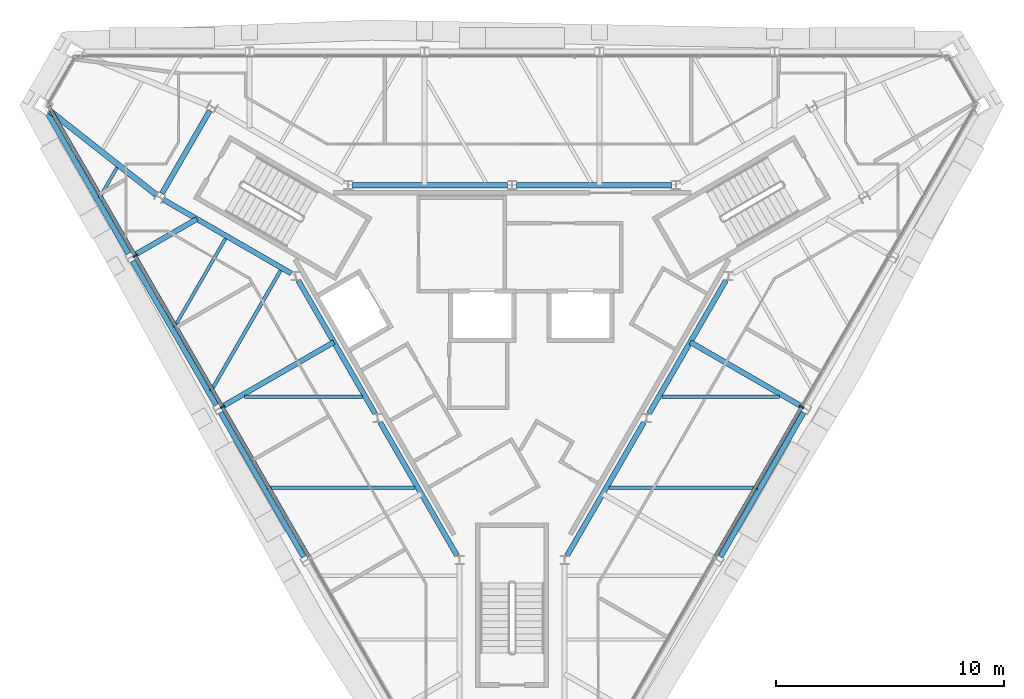
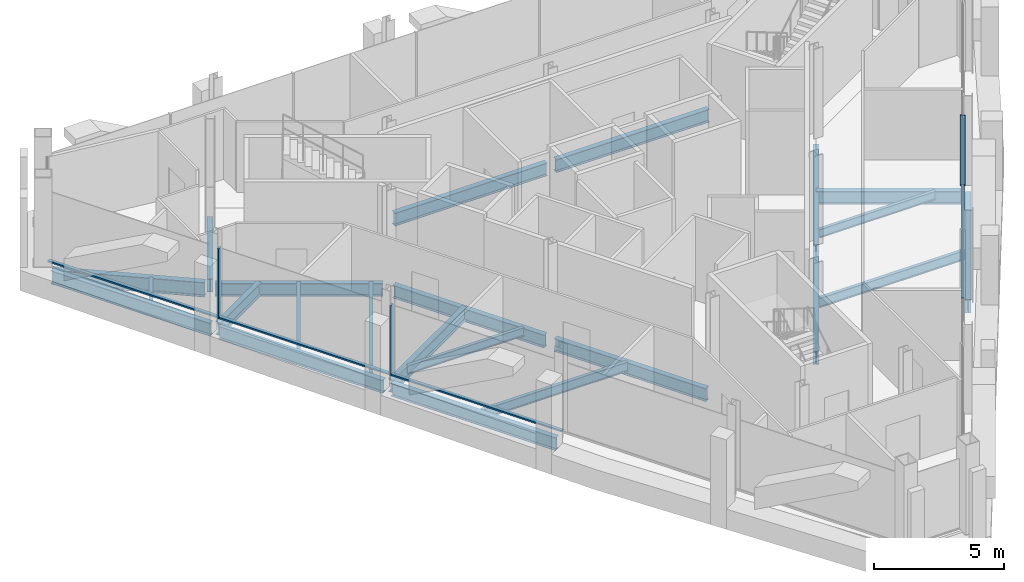
# One storey, part 4 of 13: 23 beams, 7 members, 2 elements without a shape of their own.
"""IFC4 building model written with IfcOpenShell, lengths in metres."""

import ifcopenshell
import ifcopenshell.guid

model = None  # the IFC model being written
_history = None  # IfcOwnerHistory: only IFC2X3 demands one
_inside = {}  # id of a spatial element -> (the spatial element, [elements in it])
_under = {}  # id of a project, library or spatial element -> (it, [spatial elements below it])
_declared = {}  # id of a project -> (the project, [libraries it declares])
_typed = {}  # id of a type object -> (the type object, [elements of that type])
_made_of = {}  # id of a material, layer set ... -> (it, [elements and type objects made of it])


def new_model(schema):
    """Start an empty IFC model of exactly this schema.

    Asked for "IFC4X3", IfcOpenShell would pick the latest addendum, in which some entities
    have other attributes; the version numbers below select the first issue.
    IFC2X3 requires an IfcOwnerHistory on every rooted entity: one is made here for all.
    """
    global model, _history
    if schema == "IFC4X3":
        model = ifcopenshell.file(schema_version=(4, 3, 0, 0))
    else:
        model = ifcopenshell.file(schema=schema)
    _inside.clear()
    _under.clear()
    _declared.clear()
    _typed.clear()
    _made_of.clear()
    _history = None
    if model.schema == "IFC2X3":
        org = make("IfcOrganization", Name="unknown")
        user = make(
            "IfcPersonAndOrganization",
            ThePerson=make("IfcPerson", FamilyName="unknown"),
            TheOrganization=org,
        )
        app = make(
            "IfcApplication",
            ApplicationDeveloper=org,
            Version="unknown",
            ApplicationFullName="unknown",
            ApplicationIdentifier="unknown",
        )
        _history = make(
            "IfcOwnerHistory",
            OwningUser=user,
            OwningApplication=app,
            ChangeAction="ADDED",
            CreationDate=0,
        )
    return model


def make(cls, **values):
    """One entity of the class cls with the attributes given. An attribute that is None is left unset."""
    return model.create_entity(
        cls, **{name: value for name, value in values.items() if value is not None}
    )


def rooted(cls, **values):
    """An entity with a GlobalId (a new one), such as an element, a storey or a relation."""
    return make(cls, GlobalId=ifcopenshell.guid.new(), OwnerHistory=_history, **values)


def si_unit(unit_type, name, prefix=None):
    """IfcSIUnit, for example si_unit("LENGTHUNIT", "METRE", prefix="MILLI")."""
    return make("IfcSIUnit", UnitType=unit_type, Prefix=prefix, Name=name)


def assignment(units):
    """IfcUnitAssignment: the units of a project."""
    return None if units is None else make("IfcUnitAssignment", Units=units)


def point(xyz):
    """IfcCartesianPoint."""
    return None if xyz is None else make("IfcCartesianPoint", Coordinates=xyz)


def direction(xyz):
    """IfcDirection."""
    return None if xyz is None else make("IfcDirection", DirectionRatios=xyz)


def frame(location, z_axis=None, x_axis=None):
    """IfcAxis2Placement3D, a coordinate frame: its origin and axes. An axis left out is left unset."""
    return make(
        "IfcAxis2Placement3D",
        Location=point(location),
        Axis=direction(z_axis),
        RefDirection=direction(x_axis),
    )


def frame_2d(location, x_axis=None):
    """IfcAxis2Placement2D, a coordinate frame in the plane: its origin and x axis."""
    return make(
        "IfcAxis2Placement2D", Location=point(location), RefDirection=direction(x_axis)
    )


def origin():
    """The frame at (0, 0, 0) with its axes left unset."""
    return frame((0.0, 0.0, 0.0))


def origin_2d():
    """The frame at (0, 0) in the plane with its x axis left unset."""
    return frame_2d((0.0, 0.0))


def place(relative_to, where):
    """IfcLocalPlacement: puts the frame where relative to a parent placement (None: the world)."""
    return make(
        "IfcLocalPlacement", PlacementRelTo=relative_to, RelativePlacement=where
    )


def context(
    kind, dimensions, precision=None, world=None, true_north=None, identifier=None
):
    """IfcGeometricRepresentationContext, for example the 3D "Model" context."""
    return make(
        "IfcGeometricRepresentationContext",
        ContextIdentifier=identifier,
        ContextType=kind,
        CoordinateSpaceDimension=dimensions,
        Precision=precision,
        WorldCoordinateSystem=world,
        TrueNorth=true_north,
    )


def subcontext(parent, identifier, kind, view, scale=None):
    """IfcGeometricRepresentationSubContext, for example "Body" below "Model"."""
    return make(
        "IfcGeometricRepresentationSubContext",
        ContextIdentifier=identifier,
        ContextType=kind,
        ParentContext=parent,
        TargetScale=scale,
        TargetView=view,
    )


def project(units=None, contexts=None):
    """IfcProject with its units and contexts."""
    return rooted(
        "IfcProject",
        Name="project",
        RepresentationContexts=contexts,
        UnitsInContext=assignment(units),
    )


def spatial(cls, under=None, at=None, **own):
    """A site, building, storey or space (cls), placed at a placement, below another one or the project."""
    s = rooted(cls, ObjectPlacement=at, **own)
    if under is not None:
        _under.setdefault(under.id(), (under, []))[1].append(s)
    return s


def profile(cls, at=None, kind="AREA", **sizes):
    """A parametric profile (cls). Its sizes go by their IFC names, for example OverallWidth=200.0."""
    return make(cls, ProfileType=kind, Position=at, **sizes)


def rectangle(**sizes):
    """IfcRectangleProfileDef."""
    return profile("IfcRectangleProfileDef", **sizes)


def i_section(**sizes):
    """IfcIShapeProfileDef."""
    return profile("IfcIShapeProfileDef", **sizes)


def extrude(swept, where, along, depth):
    """IfcExtrudedAreaSolid: the profile swept, set in the frame where, extruded along a direction by depth."""
    return make(
        "IfcExtrudedAreaSolid",
        SweptArea=swept,
        Position=where,
        ExtrudedDirection=direction(along),
        Depth=depth,
    )


def shape(context_of_items, identifier, shape_type, items):
    """IfcShapeRepresentation: the items that make up one representation, for example the "Body"."""
    return make(
        "IfcShapeRepresentation",
        ContextOfItems=context_of_items,
        RepresentationIdentifier=identifier,
        RepresentationType=shape_type,
        Items=items,
    )


def material(Name=None, Category=None):
    """IfcMaterial."""
    return make("IfcMaterial", Name=Name, Category=Category)


def material_profile(
    of_material, cross_section, Name=None, Category=None, Priority=None
):
    """IfcMaterialProfile: a cross section and its material."""
    return make(
        "IfcMaterialProfile",
        Name=Name,
        Material=of_material,
        Profile=cross_section,
        Priority=Priority,
        Category=Category,
    )


def profile_set(profiles, Name=None, composite=None):
    """IfcMaterialProfileSet."""
    return make(
        "IfcMaterialProfileSet",
        Name=Name,
        MaterialProfiles=profiles,
        CompositeProfile=composite,
    )


def made_of(thing, what):
    """Note that an element or type object is made of a material, layer set ...; save() writes the relation."""
    if what is not None:
        _made_of.setdefault(what.id(), (what, []))[1].append(thing)
    return thing


def type_object(cls, material=None, **own):
    """A type object (cls), such as IfcWallType, which elements share."""
    return made_of(rooted(cls, **own), material)


def element(
    cls,
    number,
    at=None,
    inside=None,
    cuts=None,
    type_object=None,
    material=None,
    context=None,
    identifier="Body",
    shape_type=None,
    held_by="IfcProductDefinitionShape",
    body=None,
    shapes=None,
    **own,
):
    """One element of the class cls, such as IfcWall. Its Tag is "e" and its number.

    at: its placement. inside: the storey or other place that contains it. cuts: it is an
    opening in that element (IfcRelVoidsElement). A single representation is given by context,
    identifier, shape_type and body (its items); several are given by shapes. held_by: the class
    of the entity that holds the representations. save() writes the other relations.
    """
    e = rooted(cls, Tag="e%d" % number, ObjectPlacement=at, **own)
    if body is not None:
        shapes = [shape(context, identifier, shape_type, body)]
    if shapes is not None:
        e.Representation = make(held_by, Representations=shapes)
    if inside is not None:
        _inside.setdefault(inside.id(), (inside, []))[1].append(e)
    if cuts is not None:
        rooted(
            "IfcRelVoidsElement", RelatingBuildingElement=cuts, RelatedOpeningElement=e
        )
    if type_object is not None:
        _typed.setdefault(type_object.id(), (type_object, []))[1].append(e)
    return made_of(e, material)


def aggregate(whole, parts):
    """IfcRelAggregates: a whole, such as a stair, and the parts it consists of."""
    return rooted("IfcRelAggregates", RelatingObject=whole, RelatedObjects=parts)


def save(model, path):
    """Write the relations noted so far, then the file.

    IfcRelAggregates (storeys below a building ...), IfcRelContainedInSpatialStructure (elements
    in a storey), IfcRelDefinesByType, IfcRelAssociatesMaterial and IfcRelDeclares: one each for
    every whole, place, type object, material and project.
    """
    for whole, parts in _under.values():
        aggregate(whole, parts)
    for where, things in _inside.values():
        rooted(
            "IfcRelContainedInSpatialStructure",
            RelatedElements=things,
            RelatingStructure=where,
        )
    for kind, things in _typed.values():
        rooted("IfcRelDefinesByType", RelatedObjects=things, RelatingType=kind)
    for what, things in _made_of.values():
        rooted("IfcRelAssociatesMaterial", RelatedObjects=things, RelatingMaterial=what)
    for by, libraries in _declared.values():
        rooted("IfcRelDeclares", RelatingContext=by, RelatedDefinitions=libraries)
    model.write(path)


model = new_model("IFC4")

# Units and contexts
model_context = context("Model", 3, precision=1e-05, world=origin(), true_north=direction((0.0, 1.0)))
body_context = subcontext(model_context, "Body", "Model", "MODEL_VIEW")
ifc_project = project(units=[si_unit("LENGTHUNIT", "METRE"), si_unit("AREAUNIT", "SQUARE_METRE"), si_unit("VOLUMEUNIT", "CUBIC_METRE"), si_unit("PLANEANGLEUNIT", "RADIAN"), si_unit("MASSUNIT", "GRAM", prefix="KILO")], contexts=[model_context])

# Site, building, storey
site_placement = place(None, origin())
site = spatial("IfcSite", under=ifc_project, at=site_placement, CompositionType="ELEMENT")
building_placement = place(site_placement, origin())
building = spatial("IfcBuilding", under=site, at=building_placement, Name="Verrane Prism Tower", CompositionType="ELEMENT")
storey_placement = place(building_placement, frame((0.0, 0.0, 325.199951171875)))
storey = spatial("IfcBuildingStorey", under=building, at=storey_placement, Name="L82", CompositionType="ELEMENT", Elevation=325.199951171875)

# Beams
ifc_material_1 = material(Name="Steel A992", Category="steel")
ifc_material_profile_1 = material_profile(ifc_material_1, i_section(OverallWidth=0.228271484375, OverallDepth=0.607177734375, WebThickness=0.01123046875, FlangeThickness=0.017333984375, FilletRadius=0.0126953125, at=origin_2d()), Name="W24x76")
ifc_profile_set_1 = profile_set([ifc_material_profile_1], Name="Steel A992")
beam_type_1 = type_object("IfcBeamType", Name="Core ring girder W24x76", PredefinedType="BEAM", material=ifc_profile_set_1)
for number, where, z_axis, x_axis, name in (
    (1, (6.980712890625, 6.800048828125, -0.553466796875), (-1.0, 0.0, 0.0), (0.0, -1.0, 0.0), "Core ring girder L82"),
    (2, (-0.199462890625, 6.800048828125, -0.553466796875), (-1.0, 0.0, 0.0), (0.0, -1.0, 0.0), "Core ring girder L82"),
):
    element("IfcBeam", number, at=place(storey_placement, frame(where, z_axis=z_axis, x_axis=x_axis)), inside=storey, type_object=beam_type_1, Name=name, PredefinedType="BEAM", context=body_context, shape_type="SweptSolid", body=[
        extrude(i_section(OverallWidth=0.228271484375, OverallDepth=0.607177734375, WebThickness=0.01123046875, FlangeThickness=0.017333984375, FilletRadius=0.0126953125, at=origin_2d()), origin(), (0.0, 0.0, 1.0), 6.78125),
    ])
beam_1_placement = place(storey_placement, frame((-13.23974609375, 10.0673828125, -0.553466796875), z_axis=(-0.500323136493, -0.865838760445, 0.0), x_axis=(0.865838760445, -0.500323136493, 0.0)))
element("IfcBeam", 3, at=beam_1_placement, inside=storey, type_object=beam_type_1, Name="Core ring girder L82", PredefinedType="BEAM", context=body_context, shape_type="SweptSolid", body=[
    extrude(i_section(OverallWidth=0.228271484375, OverallDepth=0.607177734375, WebThickness=0.01123046875, FlangeThickness=0.017333984375, FilletRadius=0.0126953125, at=origin_2d()), origin(), (0.0, 0.0, 1.0), 4.197998046875),
])
beam_2_placement = place(storey_placement, frame((-15.272705078125, 6.16357421875, -0.553466796875), z_axis=(0.866076057046, -0.499912255713, 0.0), x_axis=(0.499912255713, 0.866076057046, 0.0)))
element("IfcBeam", 4, at=beam_2_placement, inside=storey, type_object=beam_type_1, Name="Core ring girder L82", PredefinedType="BEAM", context=body_context, shape_type="SweptSolid", body=[
    extrude(i_section(OverallWidth=0.228271484375, OverallDepth=0.607177734375, WebThickness=0.01123046875, FlangeThickness=0.017333984375, FilletRadius=0.0126953125, at=origin_2d()), origin(), (0.0, 0.0, 1.0), 6.458251953125),
])
for number, where, z_axis, x_axis, name in (
    (5, (-9.36865234375, 2.626953125, -0.553466796875), (0.499881421193, -0.866093854468, 0.0), (0.866093854468, 0.499881421193, 0.0), "Core ring girder L82"),
    (6, (-5.778564453125, -3.593017578125, -0.553466796875), (0.499881421193, -0.866093854468, 0.0), (0.866093854468, 0.499881421193, 0.0), "Core ring girder L82"),
    (7, (2.411376953125, -9.427001953125, -0.553466796875), (0.499881421193, 0.866093854468, 0.0), (-0.866093854468, 0.499881421193, 0.0), "Core ring girder L82"),
    (8, (6.00146484375, -3.20703125, -0.553466796875), (0.499881421193, 0.866093854468, 0.0), (-0.866093854468, 0.499881421193, 0.0), "Core ring girder L82"),
):
    element("IfcBeam", number, at=place(storey_placement, frame(where, z_axis=z_axis, x_axis=x_axis)), inside=storey, type_object=beam_type_1, Name=name, PredefinedType="BEAM", context=body_context, shape_type="SweptSolid", body=[
        extrude(i_section(OverallWidth=0.228271484375, OverallDepth=0.607177734375, WebThickness=0.01123046875, FlangeThickness=0.017333984375, FilletRadius=0.0126953125, at=origin_2d()), origin(), (0.0, 0.0, 1.0), 6.736083984375),
    ])
ifc_material_2 = material(Name="Steel A992", Category="steel")
ifc_material_profile_2 = material_profile(ifc_material_2, i_section(OverallWidth=0.25390625, OverallDepth=0.683349609375, WebThickness=0.012451171875, FlangeThickness=0.01904296875, FilletRadius=0.01513671875, at=origin_2d()), Name="W27x94")
ifc_profile_set_2 = profile_set([ifc_material_profile_2], Name="Steel A992")
beam_type_2 = type_object("IfcBeamType", Name="Corner girder W27x94", PredefinedType="BEAM", material=ifc_profile_set_2)
beam_3_placement = place(storey_placement, frame((-20.26220703125, 10.06103515625, -0.5615234375), z_axis=(0.785339810319, -0.619064925777, 0.0), x_axis=(0.619064925777, 0.785339810319, 0.0)))
element("IfcBeam", 9, at=beam_3_placement, inside=storey, type_object=beam_type_2, Name="Corner girder L82", PredefinedType="BEAM", context=body_context, shape_type="SweptSolid", body=[
    extrude(i_section(OverallWidth=0.25390625, OverallDepth=0.683349609375, WebThickness=0.012451171875, FlangeThickness=0.01904296875, FilletRadius=0.01513671875, at=origin_2d()), origin(), (0.0, 0.0, 1.0), 5.945068359375),
])
ifc_material_3 = material(Name="Steel A992", Category="steel")
ifc_material_profile_3 = material_profile(ifc_material_3, i_section(OverallWidth=0.140380859375, OverallDepth=0.40380859375, WebThickness=0.007080078125, FlangeThickness=0.01123046875, FilletRadius=0.01025390625, at=origin_2d()), Name="W16x31")
ifc_profile_set_3 = profile_set([ifc_material_profile_3], Name="Steel A992")
beam_type_3 = type_object("IfcBeamType", Name="Floor beam W16x31", PredefinedType="BEAM", material=ifc_profile_set_3)
beam_4_placement = place(storey_placement, frame((-18.076904296875, 6.23779296875, -0.36181640625), z_axis=(0.499978844458, 0.866037617598, 0.0), x_axis=(-0.866037617598, 0.499978844458, 0.0)))
element("IfcBeam", 10, at=beam_4_placement, inside=storey, type_object=beam_type_3, Name="Floor beam L82", PredefinedType="BEAM", context=body_context, shape_type="SweptSolid", body=[
    extrude(i_section(OverallWidth=0.140380859375, OverallDepth=0.40380859375, WebThickness=0.007080078125, FlangeThickness=0.01123046875, FilletRadius=0.01025390625, at=origin_2d()), origin(), (0.0, 0.0, 1.0), 1.53857421875),
])
beam_5_placement = place(storey_placement, frame((-14.801513671875, 0.5673828125, -0.36181640625), z_axis=(0.500038829804, 0.866002984226, 0.0), x_axis=(-0.866002984226, 0.500038829804, 0.0)))
element("IfcBeam", 11, at=beam_5_placement, inside=storey, type_object=beam_type_3, Name="Floor beam L82", PredefinedType="BEAM", context=body_context, shape_type="SweptSolid", body=[
    extrude(i_section(OverallWidth=0.140380859375, OverallDepth=0.40380859375, WebThickness=0.007080078125, FlangeThickness=0.01123046875, FilletRadius=0.01025390625, at=origin_2d()), origin(), (0.0, 0.0, 1.0), 4.497802734375),
])
for number, where, z_axis, x_axis, name in (
    (12, (-11.7236328125, -2.469970703125, -0.36181640625), (1.0, 0.0, 0.0), (0.0, 1.0, 0.0), "Floor beam L82"),
    (13, (6.5595703125, -2.469970703125, -0.36181640625), (1.0, 0.0, 0.0), (0.0, 1.0, 0.0), "Floor beam L82"),
):
    element("IfcBeam", number, at=place(storey_placement, frame(where, z_axis=z_axis, x_axis=x_axis)), inside=storey, type_object=beam_type_3, Name=name, PredefinedType="BEAM", context=body_context, shape_type="SweptSolid", body=[
        extrude(i_section(OverallWidth=0.140380859375, OverallDepth=0.40380859375, WebThickness=0.007080078125, FlangeThickness=0.01123046875, FilletRadius=0.01025390625, at=origin_2d()), origin(), (0.0, 0.0, 1.0), 5.1640625),
    ])
ifc_material_4 = material(Name="Steel A992", Category="steel")
ifc_material_profile_4 = material_profile(ifc_material_4, i_section(OverallWidth=0.15234375, OverallDepth=0.449462890625, WebThickness=0.007568359375, FlangeThickness=0.0107421875, FilletRadius=0.01025390625, at=origin_2d()), Name="W18x35")
ifc_profile_set_4 = profile_set([ifc_material_profile_4], Name="Steel A992")
beam_type_4 = type_object("IfcBeamType", Name="Floor beam W18x35", PredefinedType="BEAM", material=ifc_profile_set_4)
beam_6_placement = place(storey_placement, frame((-13.189697265625, -2.219482421875, -0.384765625), z_axis=(0.499979762145, 0.8660370878, 0.0), x_axis=(-0.8660370878, 0.499979762145, 0.0)))
element("IfcBeam", 14, at=beam_6_placement, inside=storey, type_object=beam_type_4, Name="Floor beam L82", PredefinedType="BEAM", context=body_context, shape_type="SweptSolid", body=[
    extrude(i_section(OverallWidth=0.15234375, OverallDepth=0.449462890625, WebThickness=0.007568359375, FlangeThickness=0.0107421875, FilletRadius=0.01025390625, at=origin_2d()), origin(), (0.0, 0.0, 1.0), 6.105224609375),
])
for number, where, z_axis, x_axis, name in (
    (15, (-10.74560546875, -6.4599609375, -0.384765625), (1.0, 0.0, 0.0), (0.0, 1.0, 0.0), "Floor beam L82"),
    (16, (4.251953125, -6.4599609375, -0.384765625), (1.0, 0.0, 0.0), (0.0, 1.0, 0.0), "Floor beam L82"),
):
    element("IfcBeam", number, at=place(storey_placement, frame(where, z_axis=z_axis, x_axis=x_axis)), inside=storey, type_object=beam_type_4, Name=name, PredefinedType="BEAM", context=body_context, shape_type="SweptSolid", body=[
        extrude(i_section(OverallWidth=0.15234375, OverallDepth=0.449462890625, WebThickness=0.007568359375, FlangeThickness=0.0107421875, FilletRadius=0.01025390625, at=origin_2d()), origin(), (0.0, 0.0, 1.0), 6.49365234375),
    ])

# Curtain wall, members
ifc_material_5 = material(Name="Aluminium framed insulated glazing", Category="aluminium")
curtain_wall_type = type_object("IfcCurtainWallType", Name="Curtain wall CW-A 8400 module", PredefinedType="NOTDEFINED", material=ifc_material_5)
curtain_wall_1_placement = place(storey_placement, origin())
curtain_wall_1 = element("IfcCurtainWall", 17, at=curtain_wall_1_placement, inside=storey, type_object=curtain_wall_type, Name="Glazed curtain wall south-west face L82", PredefinedType="NOTDEFINED")
ifc_material_6 = material(Name="Aluminium alloy 6063-T6", Category="aluminium")
ifc_material_profile_5 = material_profile(ifc_material_6, rectangle(XDim=0.199951171875, YDim=0.070068359375, at=origin_2d()), Name="Mullion 70x200 aluminium")
ifc_profile_set_5 = profile_set([ifc_material_profile_5], Name="Aluminium alloy 6063-T6")
member_type_1 = type_object("IfcMemberType", Name="Mullion 70x200 aluminium", PredefinedType="MULLION", material=ifc_profile_set_5)
member_1_placement = place(storey_placement, frame((-16.513916015625, 3.708251953125, 0.0), z_axis=(0.0, 0.0, 1.0), x_axis=(0.866025278644, 0.500000216749, 0.0)))
member_1 = element("IfcMember", 18, at=member_1_placement, type_object=member_type_1, Name="CW82.4 mullion 2", PredefinedType="MULLION", context=body_context, shape_type="SweptSolid", body=[
    extrude(rectangle(XDim=0.199951171875, YDim=0.070068359375, at=origin_2d()), origin(), (0.0, 0.0, 1.0), 3.296630859375),
])
member_2_placement = place(storey_placement, frame((-12.69091796875, -2.912841796875, 0.0), z_axis=(0.0, 0.0, 1.0), x_axis=(0.866025278644, 0.500000216749, 0.0)))
member_2 = element("IfcMember", 19, at=member_2_placement, type_object=member_type_1, Name="CW82.4 mullion 3", PredefinedType="MULLION", context=body_context, shape_type="SweptSolid", body=[
    extrude(rectangle(XDim=0.199951171875, YDim=0.070068359375, at=origin_2d()), origin(), (0.0, 0.0, 1.0), 3.296630859375),
])

# Curtain wall, member
curtain_wall_2_placement = place(storey_placement, origin())
curtain_wall_2 = element("IfcCurtainWall", 20, at=curtain_wall_2_placement, inside=storey, type_object=curtain_wall_type, Name="Glazed curtain wall south-east face L82", PredefinedType="NOTDEFINED")
member_3_placement = place(storey_placement, frame((12.69091796875, -2.912841796875, 0.0), z_axis=(0.0, 0.0, 1.0), x_axis=(-0.866025278644, 0.500000216749, 0.0)))
member_3 = element("IfcMember", 21, at=member_3_placement, type_object=member_type_1, Name="CW82.6 mullion 4", PredefinedType="MULLION", context=body_context, shape_type="SweptSolid", body=[
    extrude(rectangle(XDim=0.199951171875, YDim=0.070068359375, at=origin_2d()), origin(), (0.0, 0.0, 1.0), 3.296630859375),
])

# Beams
ifc_material_7 = material(Name="Steel A992", Category="steel")
ifc_material_profile_6 = material_profile(ifc_material_7, i_section(OverallWidth=0.228271484375, OverallDepth=0.607177734375, WebThickness=0.01123046875, FlangeThickness=0.017333984375, FilletRadius=0.0126953125, at=origin_2d()), Name="W24x76")
ifc_profile_set_6 = profile_set([ifc_material_profile_6], Name="Steel A992")
beam_type_5 = type_object("IfcBeamType", Name="Radial girder W24x76", PredefinedType="BEAM", material=ifc_profile_set_6)
beam_7_placement = place(storey_placement, frame((-16.550537109375, 3.732177734375, -0.5234375), z_axis=(0.866011117715, 0.500024743381, 0.0), x_axis=(-0.500024743381, 0.866011117715, 0.0)))
element("IfcBeam", 22, at=beam_7_placement, inside=storey, type_object=beam_type_5, Name="Radial girder L82", PredefinedType="BEAM", context=body_context, shape_type="SweptSolid", body=[
    extrude(i_section(OverallWidth=0.228271484375, OverallDepth=0.607177734375, WebThickness=0.01123046875, FlangeThickness=0.017333984375, FilletRadius=0.0126953125, at=origin_2d()), origin(), (0.0, 0.0, 1.0), 3.169189453125),
])
for number, where, z_axis, x_axis, name in (
    (23, (-12.71044921875, -2.907958984375, -0.5234375), (0.866021122779, 0.500007414845, 0.0), (-0.500007414845, 0.866021122779, 0.0), "Radial girder L82"),
    (24, (12.71044921875, -2.907958984375, -0.5234375), (-0.866021122779, 0.500007414845, 0.0), (-0.500007414845, -0.866021122779, 0.0), "Radial girder L82"),
):
    element("IfcBeam", number, at=place(storey_placement, frame(where, z_axis=z_axis, x_axis=x_axis)), inside=storey, type_object=beam_type_5, Name=name, PredefinedType="BEAM", context=body_context, shape_type="SweptSolid", body=[
        extrude(i_section(OverallWidth=0.228271484375, OverallDepth=0.607177734375, WebThickness=0.01123046875, FlangeThickness=0.017333984375, FilletRadius=0.0126953125, at=origin_2d()), origin(), (0.0, 0.0, 1.0), 5.6611328125),
    ])
ifc_material_8 = material(Name="Steel A992", Category="steel")
ifc_material_profile_7 = material_profile(ifc_material_8, i_section(OverallWidth=0.228271484375, OverallDepth=0.607177734375, WebThickness=0.01123046875, FlangeThickness=0.017333984375, FilletRadius=0.0126953125, at=origin_2d()), Name="W24x76")
ifc_profile_set_7 = profile_set([ifc_material_profile_7], Name="Steel A992")
beam_type_6 = type_object("IfcBeamType", Name="Spandrel beam W24x76", PredefinedType="SPANDREL", material=ifc_profile_set_7)
beam_8_placement = place(storey_placement, frame((-20.337890625, 9.9296875, -0.46337890625), z_axis=(0.499650748497, -0.866226950358, 0.0), x_axis=(0.866226950358, 0.499650748497, 0.0)))
element("IfcBeam", 25, at=beam_8_placement, inside=storey, type_object=beam_type_6, Name="Spandrel beam L82", PredefinedType="SPANDREL", context=body_context, shape_type="SweptSolid", body=[
    extrude(i_section(OverallWidth=0.228271484375, OverallDepth=0.607177734375, WebThickness=0.01123046875, FlangeThickness=0.017333984375, FilletRadius=0.0126953125, at=origin_2d()), origin(), (0.0, 0.0, 1.0), 7.07421875),
])
beam_9_placement = place(storey_placement, frame((-16.616455078125, 3.478515625, -0.46337890625), z_axis=(0.50061813753, -0.865668227658, 0.0), x_axis=(0.865668227658, 0.50061813753, 0.0)))
element("IfcBeam", 26, at=beam_9_placement, inside=storey, type_object=beam_type_6, Name="Spandrel beam L82", PredefinedType="SPANDREL", context=body_context, shape_type="SweptSolid", body=[
    extrude(i_section(OverallWidth=0.228271484375, OverallDepth=0.607177734375, WebThickness=0.01123046875, FlangeThickness=0.017333984375, FilletRadius=0.0126953125, at=origin_2d()), origin(), (0.0, 0.0, 1.0), 7.297119140625),
])
for number, where, z_axis, x_axis, name in (
    (27, (-12.77685546875, -3.161865234375, -0.46337890625), (0.499074796412, -0.866558911781, 0.0), (0.866558911781, 0.499074796412, 0.0), "Spandrel beam L82"),
    (28, (9.13330078125, -9.48828125, -0.46337890625), (0.499074796412, 0.866558911781, 0.0), (-0.866558911781, 0.499074796412, 0.0), "Spandrel beam L82"),
):
    element("IfcBeam", number, at=place(storey_placement, frame(where, z_axis=z_axis, x_axis=x_axis)), inside=storey, type_object=beam_type_6, Name=name, PredefinedType="SPANDREL", context=body_context, shape_type="SweptSolid", body=[
        extrude(i_section(OverallWidth=0.228271484375, OverallDepth=0.607177734375, WebThickness=0.01123046875, FlangeThickness=0.017333984375, FilletRadius=0.0126953125, at=origin_2d()), origin(), (0.0, 0.0, 1.0), 7.300537109375),
    ])

# Member
ifc_material_9 = material(Name="Aluminium alloy 6063-T6", Category="aluminium")
ifc_material_profile_8 = material_profile(ifc_material_9, rectangle(XDim=0.14990234375, YDim=0.070068359375, at=origin_2d()), Name="Transom 70x150 aluminium")
ifc_profile_set_8 = profile_set([ifc_material_profile_8], Name="Aluminium alloy 6063-T6")
member_type_2 = type_object("IfcMemberType", Name="Transom 70x150 aluminium", PredefinedType="USERDEFINED", material=ifc_profile_set_8)
member_4_placement = place(storey_placement, frame((-20.301513671875, 10.26904296875, 0.03515625), z_axis=(0.499986830474, -0.86603300708, 0.0), x_axis=(0.86603300708, 0.499986830474, 0.0)))
member_4 = element("IfcMember", 29, at=member_4_placement, type_object=member_type_2, Name="CW82.4 transom 1", ObjectType="TRANSOM", PredefinedType="USERDEFINED", context=body_context, shape_type="SweptSolid", body=[
    extrude(rectangle(XDim=0.14990234375, YDim=0.070068359375, at=origin_2d()), origin(), (0.0, 0.0, 1.0), 7.540771484375),
])

member_5_placement = place(storey_placement, frame((-16.496337890625, 3.677978515625, 0.03515625), z_axis=(0.50001072126, -0.866019213774, 0.0), x_axis=(0.866019213774, 0.50001072126, 0.0)))
member_5 = element("IfcMember", 30, at=member_5_placement, type_object=member_type_2, Name="CW82.4 transom 2", ObjectType="TRANSOM", PredefinedType="USERDEFINED", context=body_context, shape_type="SweptSolid", body=[
    extrude(rectangle(XDim=0.14990234375, YDim=0.070068359375, at=origin_2d()), origin(), (0.0, 0.0, 1.0), 7.575439453125),
])

member_6_placement = place(storey_placement, frame((-12.673583984375, -2.943359375, 0.03515625), z_axis=(0.50001072126, -0.866019213774, 0.0), x_axis=(0.866019213774, 0.50001072126, 0.0)))
member_6 = element("IfcMember", 31, at=member_6_placement, type_object=member_type_2, Name="CW82.4 transom 3", ObjectType="TRANSOM", PredefinedType="USERDEFINED", context=body_context, shape_type="SweptSolid", body=[
    extrude(rectangle(XDim=0.14990234375, YDim=0.070068359375, at=origin_2d()), origin(), (0.0, 0.0, 1.0), 7.575439453125),
])

aggregate(curtain_wall_1, [member_1, member_2, member_4, member_5, member_6])

member_7_placement = place(storey_placement, frame((8.8857421875, -9.50390625, 0.03515625), z_axis=(0.50001072126, 0.866019213774, 0.0), x_axis=(-0.866019213774, 0.50001072126, 0.0)))
member_7 = element("IfcMember", 32, at=member_7_placement, type_object=member_type_2, Name="CW82.6 transom 3", ObjectType="TRANSOM", PredefinedType="USERDEFINED", context=body_context, shape_type="SweptSolid", body=[
    extrude(rectangle(XDim=0.14990234375, YDim=0.070068359375, at=origin_2d()), origin(), (0.0, 0.0, 1.0), 7.575439453125),
])

aggregate(curtain_wall_2, [member_3, member_7])

save(model, "model.ifc")
